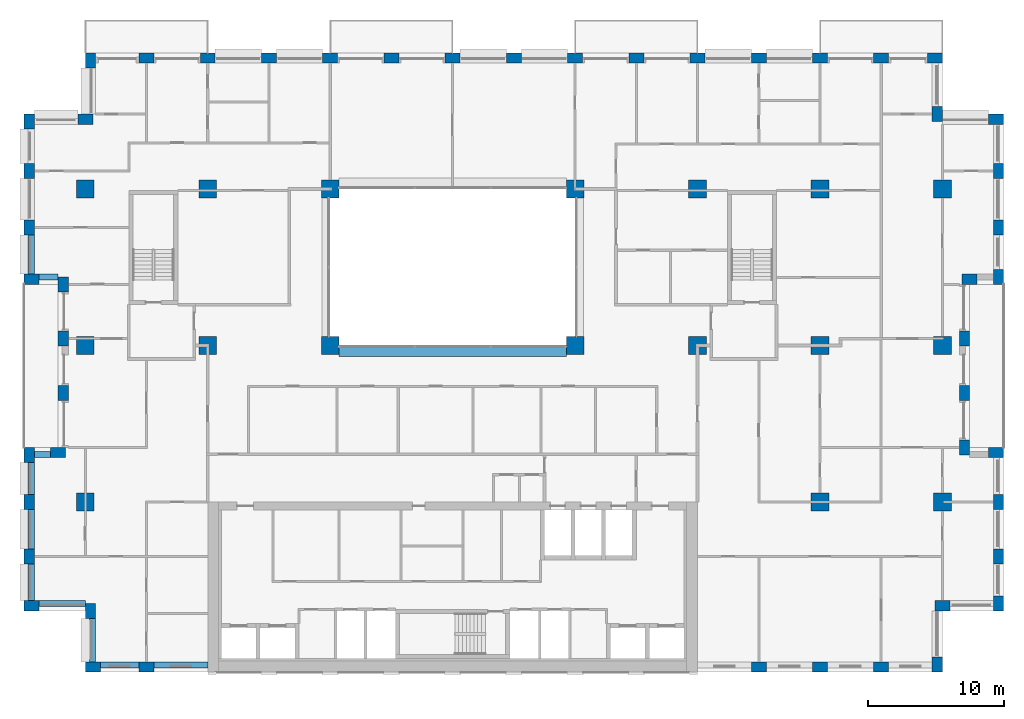
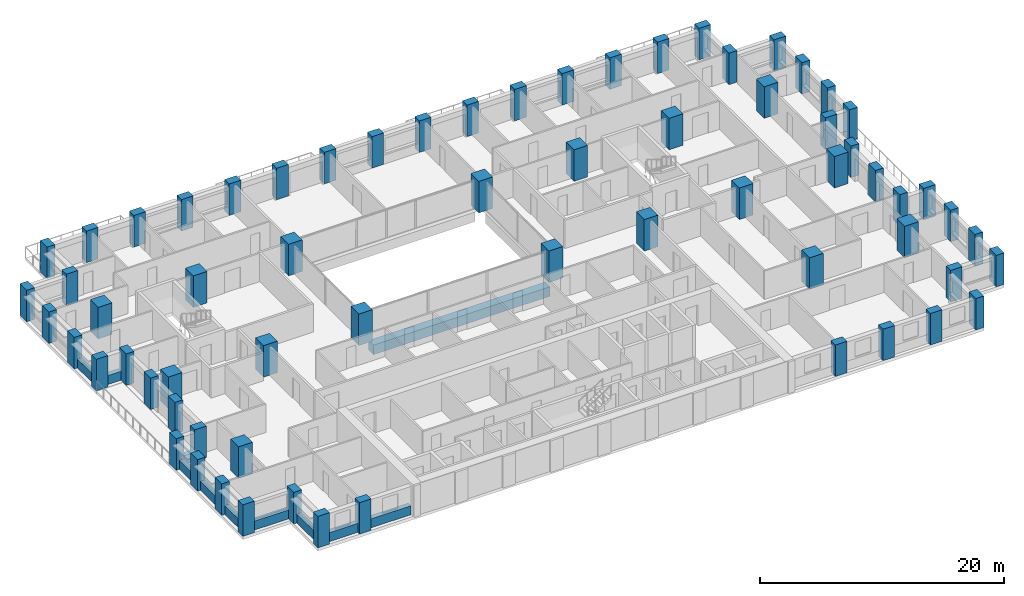
# One storey, part 1 of 16: 66 columns, 11 beams.
"""IFC4 building model written with IfcOpenShell, lengths in metres."""

from ifc_helpers import new_model, si_unit, direction, frame, origin, origin_2d, place, context, subcontext, project, spatial, rectangle, extrude, material, material_profile, profile_set, type_object, element, save


model = new_model("IFC4")

# Units and contexts
model_context = context("Model", 3, precision=1e-05, world=origin(), true_north=direction((0.0, 1.0)))
body_context = subcontext(model_context, "Body", "Model", "MODEL_VIEW")
ifc_project = project(units=[si_unit("LENGTHUNIT", "METRE"), si_unit("AREAUNIT", "SQUARE_METRE"), si_unit("VOLUMEUNIT", "CUBIC_METRE"), si_unit("PLANEANGLEUNIT", "RADIAN"), si_unit("MASSUNIT", "GRAM", prefix="KILO")], contexts=[model_context])

# Site, building, storey
site_placement = place(None, origin())
site = spatial("IfcSite", under=ifc_project, at=site_placement, CompositionType="ELEMENT")
building_placement = place(site_placement, origin())
building = spatial("IfcBuilding", under=site, at=building_placement, Name="Brigalow Station Residences", CompositionType="ELEMENT")
storey_placement = place(building_placement, frame((0.0, 0.0, 83.550048828125)))
storey = spatial("IfcBuildingStorey", under=building, at=storey_placement, Name="L23", CompositionType="ELEMENT", Elevation=83.550048828125)

# Columns
ifc_material_1 = material(Name="Concrete C65", Category="concrete")
ifc_material_profile_1 = material_profile(ifc_material_1, rectangle(XDim=1.300048828125, YDim=1.300048828125, at=origin_2d()), Name="RC1300x1300")
ifc_profile_set_1 = profile_set([ifc_material_profile_1], Name="Concrete C65")
column_type_1 = type_object("IfcColumnType", Name="COLUMN 1300x1300 C65", PredefinedType="COLUMN", material=ifc_profile_set_1)
for number, where, z_axis, x_axis, name in (
    (1, (9.0, 24.0, 0.0), (0.0, 0.0, 1.0), (1.0, 0.0, 0.0), "COLUMN C1 L23"),
    (2, (18.0, 24.0, 0.0), (0.0, 0.0, 1.0), (1.0, 0.0, 0.0), "COLUMN C2 L23"),
    (3, (27.0, 24.0, 0.0), (0.0, 0.0, 1.0), (1.0, 0.0, 0.0), "COLUMN C3 L23"),
    (4, (45.0, 24.0, 0.0), (0.0, 0.0, 1.0), (1.0, 0.0, 0.0), "COLUMN C5 L23"),
    (5, (54.0, 24.0, 0.0), (0.0, 0.0, 1.0), (1.0, 0.0, 0.0), "COLUMN C6 L23"),
    (6, (63.0, 24.0, 0.0), (0.0, 0.0, 1.0), (1.0, 0.0, 0.0), "COLUMN C7 L23"),
    (7, (72.0, 24.0, 0.0), (0.0, 0.0, 1.0), (1.0, 0.0, 0.0), "COLUMN C8 L23"),
    (8, (9.0, 35.5, 0.0), (0.0, 0.0, 1.0), (1.0, 0.0, 0.0), "COLUMN D1 L23"),
    (9, (18.0, 35.5, 0.0), (0.0, 0.0, 1.0), (1.0, 0.0, 0.0), "COLUMN D2 L23"),
    (10, (27.0, 35.5, 0.0), (0.0, 0.0, 1.0), (1.0, 0.0, 0.0), "COLUMN D3 L23"),
    (11, (45.0, 35.5, 0.0), (0.0, 0.0, 1.0), (1.0, 0.0, 0.0), "COLUMN D5 L23"),
    (12, (54.0, 35.5, 0.0), (0.0, 0.0, 1.0), (1.0, 0.0, 0.0), "COLUMN D6 L23"),
    (13, (63.0, 35.5, 0.0), (0.0, 0.0, 1.0), (1.0, 0.0, 0.0), "COLUMN D7 L23"),
    (14, (72.0, 35.5, 0.0), (0.0, 0.0, 1.0), (1.0, 0.0, 0.0), "COLUMN D8 L23"),
    (15, (9.0, 12.5, 0.0), (0.0, 0.0, 1.0), (1.0, 0.0, 0.0), "COLUMN B1 L23"),
    (16, (63.0, 12.5, 0.0), (0.0, 0.0, 1.0), (1.0, 0.0, 0.0), "COLUMN B7 L23"),
    (17, (72.0, 12.5, 0.0), (0.0, 0.0, 1.0), (1.0, 0.0, 0.0), "COLUMN B8 L23"),
):
    element("IfcColumn", number, at=place(storey_placement, frame(where, z_axis=z_axis, x_axis=x_axis)), inside=storey, type_object=column_type_1, Name=name, PredefinedType="COLUMN", context=body_context, shape_type="SweptSolid", body=[
        extrude(rectangle(XDim=1.300048828125, YDim=1.300048828125, at=origin_2d()), origin(), (0.0, 0.0, 1.0), 3.14990234375),
    ])
ifc_material_2 = material(Name="Concrete C65", Category="concrete")
ifc_material_profile_2 = material_profile(ifc_material_2, rectangle(XDim=1.10009765625, YDim=0.75, at=origin_2d()), Name="RC1100x750")
ifc_profile_set_2 = profile_set([ifc_material_profile_2], Name="Concrete C65")
column_type_2 = type_object("IfcColumnType", Name="PIER 1100x750 C65", PredefinedType="USERDEFINED", material=ifc_profile_set_2)
for number, where, z_axis, x_axis, name in (
    (18, (9.550048828125, 0.375, 0.0), (0.0, 0.0, 1.0), (1.0, 0.0, 0.0), "PIER S-1 L23"),
    (19, (13.5, 0.375, 0.0), (0.0, 0.0, 1.0), (1.0, 0.0, 0.0), "PIER S-2 L23"),
    (20, (58.5, 0.375, 0.0), (0.0, 0.0, 1.0), (1.0, 0.0, 0.0), "PIER S-12 L23"),
    (21, (63.0, 0.375, 0.0), (0.0, 0.0, 1.0), (1.0, 0.0, 0.0), "PIER S-13 L23"),
    (22, (67.5, 0.375, 0.0), (0.0, 0.0, 1.0), (1.0, 0.0, 0.0), "PIER S-14 L23"),
    (23, (71.625, 0.550048828125, 0.0), (0.0, 0.0, 1.0), (0.0, 1.0, 0.0), "PIER SE1-1 L23"),
    (24, (72.0, 4.875, 0.0), (0.0, 0.0, 1.0), (1.0, 0.0, 0.0), "PIER SE2-1 L23"),
    (25, (76.125, 5.050048828125, 0.0), (0.0, 0.0, 1.0), (0.0, 1.0, 0.0), "PIER E1-1 L23"),
    (26, (76.125, 8.5, 0.0), (0.0, 0.0, 1.0), (0.0, 1.0, 0.0), "PIER E1-2 L23"),
    (27, (76.125, 12.5, 0.0), (0.0, 0.0, 1.0), (0.0, 1.0, 0.0), "PIER E1-3 L23"),
    (28, (75.949951171875, 16.125, 0.0), (0.0, 0.0, 1.0), (-1.0, 0.0, 0.0), "PIER EL1-1 L23"),
    (29, (73.625, 16.5, 0.0), (0.0, 0.0, 1.0), (0.0, 1.0, 0.0), "PIER EL2-1 L23"),
    (30, (73.625, 20.5, 0.0), (0.0, 0.0, 1.0), (0.0, 1.0, 0.0), "PIER EL2-2 L23"),
    (31, (73.625, 24.5, 0.0), (0.0, 0.0, 1.0), (0.0, 1.0, 0.0), "PIER EL2-3 L23"),
    (32, (74.0, 28.875, 0.0), (0.0, 0.0, 1.0), (1.0, 0.0, 0.0), "PIER EL3-1 L23"),
    (33, (76.125, 29.050048828125, 0.0), (0.0, 0.0, 1.0), (0.0, 1.0, 0.0), "PIER E2-1 L23"),
    (34, (76.125, 32.6669921875, 0.0), (0.0, 0.0, 1.0), (0.0, 1.0, 0.0), "PIER E2-2 L23"),
    (35, (76.125, 36.8330078125, 0.0), (0.0, 0.0, 1.0), (0.0, 1.0, 0.0), "PIER E2-3 L23"),
    (36, (75.949951171875, 40.625, 0.0), (0.0, 0.0, 1.0), (-1.0, 0.0, 0.0), "PIER NE1-1 L23"),
    (37, (71.625, 41.0, 0.0), (0.0, 0.0, 1.0), (0.0, 1.0, 0.0), "PIER NE2-1 L23"),
    (38, (71.449951171875, 45.125, 0.0), (0.0, 0.0, 1.0), (-1.0, 0.0, 0.0), "PIER N-1 L23"),
    (39, (67.5, 45.125, 0.0), (0.0, 0.0, 1.0), (-1.0, 0.0, 0.0), "PIER N-2 L23"),
    (40, (63.0, 45.125, 0.0), (0.0, 0.0, 1.0), (-1.0, 0.0, 0.0), "PIER N-3 L23"),
    (41, (58.5, 45.125, 0.0), (0.0, 0.0, 1.0), (-1.0, 0.0, 0.0), "PIER N-4 L23"),
    (42, (54.0, 45.125, 0.0), (0.0, 0.0, 1.0), (-1.0, 0.0, 0.0), "PIER N-5 L23"),
    (43, (49.5, 45.125, 0.0), (0.0, 0.0, 1.0), (-1.0, 0.0, 0.0), "PIER N-6 L23"),
    (44, (45.0, 45.125, 0.0), (0.0, 0.0, 1.0), (-1.0, 0.0, 0.0), "PIER N-7 L23"),
    (45, (40.5, 45.125, 0.0), (0.0, 0.0, 1.0), (-1.0, 0.0, 0.0), "PIER N-8 L23"),
    (46, (36.0, 45.125, 0.0), (0.0, 0.0, 1.0), (-1.0, 0.0, 0.0), "PIER N-9 L23"),
    (47, (31.5, 45.125, 0.0), (0.0, 0.0, 1.0), (-1.0, 0.0, 0.0), "PIER N-10 L23"),
    (48, (27.0, 45.125, 0.0), (0.0, 0.0, 1.0), (-1.0, 0.0, 0.0), "PIER N-11 L23"),
    (49, (22.5, 45.125, 0.0), (0.0, 0.0, 1.0), (-1.0, 0.0, 0.0), "PIER N-12 L23"),
    (50, (18.0, 45.125, 0.0), (0.0, 0.0, 1.0), (-1.0, 0.0, 0.0), "PIER N-13 L23"),
    (51, (13.5, 45.125, 0.0), (0.0, 0.0, 1.0), (-1.0, 0.0, 0.0), "PIER N-14 L23"),
    (52, (9.375, 44.949951171875, 0.0), (0.0, 0.0, 1.0), (0.0, -1.0, 0.0), "PIER NW1-1 L23"),
    (53, (9.0, 40.625, 0.0), (0.0, 0.0, 1.0), (-1.0, 0.0, 0.0), "PIER NW2-1 L23"),
    (54, (4.875, 40.449951171875, 0.0), (0.0, 0.0, 1.0), (0.0, -1.0, 0.0), "PIER W2-1 L23"),
    (55, (4.875, 36.8330078125, 0.0), (0.0, 0.0, 1.0), (0.0, -1.0, 0.0), "PIER W2-2 L23"),
    (56, (4.875, 32.6669921875, 0.0), (0.0, 0.0, 1.0), (0.0, -1.0, 0.0), "PIER W2-3 L23"),
    (57, (5.050048828125, 28.875, 0.0), (0.0, 0.0, 1.0), (1.0, 0.0, 0.0), "PIER WL1-1 L23"),
    (58, (7.375, 28.5, 0.0), (0.0, 0.0, 1.0), (0.0, -1.0, 0.0), "PIER WL2-1 L23"),
    (59, (7.375, 24.5, 0.0), (0.0, 0.0, 1.0), (0.0, -1.0, 0.0), "PIER WL2-2 L23"),
    (60, (7.375, 20.5, 0.0), (0.0, 0.0, 1.0), (0.0, -1.0, 0.0), "PIER WL2-3 L23"),
    (61, (7.0, 16.125, 0.0), (0.0, 0.0, 1.0), (-1.0, 0.0, 0.0), "PIER WL3-1 L23"),
    (62, (4.875, 15.949951171875, 0.0), (0.0, 0.0, 1.0), (0.0, -1.0, 0.0), "PIER W1-1 L23"),
    (63, (4.875, 12.5, 0.0), (0.0, 0.0, 1.0), (0.0, -1.0, 0.0), "PIER W1-2 L23"),
    (64, (4.875, 8.5, 0.0), (0.0, 0.0, 1.0), (0.0, -1.0, 0.0), "PIER W1-3 L23"),
    (65, (5.050048828125, 4.875, 0.0), (0.0, 0.0, 1.0), (1.0, 0.0, 0.0), "PIER SW1-1 L23"),
    (66, (9.375, 4.5, 0.0), (0.0, 0.0, 1.0), (0.0, -1.0, 0.0), "PIER SW2-1 L23"),
):
    element("IfcColumn", number, at=place(storey_placement, frame(where, z_axis=z_axis, x_axis=x_axis)), inside=storey, type_object=column_type_2, Name=name, ObjectType="PIER", PredefinedType="USERDEFINED", context=body_context, shape_type="SweptSolid", body=[
        extrude(rectangle(XDim=1.10009765625, YDim=0.75, at=origin_2d()), origin(), (0.0, 0.0, 1.0), 3.14990234375),
    ])

# Beams
ifc_material_3 = material(Name="Concrete C65", Category="concrete")
ifc_material_profile_3 = material_profile(ifc_material_3, rectangle(XDim=0.800048828125, YDim=0.949951171875, at=origin_2d()), Name="RC800x950")
ifc_profile_set_3 = profile_set([ifc_material_profile_3], Name="Concrete C65")
beam_type_1 = type_object("IfcBeamType", Name="ATRIUM EDGE GIRDER OVER 13.5 M SPAN 800x950 C65", PredefinedType="BEAM", material=ifc_profile_set_3)
beam_1_placement = place(storey_placement, frame((27.64990234375, 23.60009765625, -0.795166015625), z_axis=(1.0, 0.0, 0.0), x_axis=(0.0, 1.0, 0.0)))
element("IfcBeam", 67, at=beam_1_placement, inside=storey, type_object=beam_type_1, Name="ATRIUM EDGE GIRDER C L23", PredefinedType="BEAM", context=body_context, shape_type="SweptSolid", body=[
    extrude(rectangle(XDim=0.800048828125, YDim=0.949951171875, at=origin_2d()), origin(), (0.0, 0.0, 1.0), 16.7001953125),
])
ifc_material_4 = material(Name="Concrete C65", Category="concrete")
ifc_material_profile_4 = material_profile(ifc_material_4, rectangle(XDim=0.449951171875, YDim=0.89990234375, at=origin_2d()), Name="RC450x900")
ifc_profile_set_4 = profile_set([ifc_material_profile_4], Name="Concrete C65")
beam_type_2 = type_object("IfcBeamType", Name="SPANDREL BEAM 450x900 C65", PredefinedType="SPANDREL", material=ifc_profile_set_4)
beam_2_placement = place(storey_placement, frame((10.10009765625, 0.52490234375, 0.449951171875), z_axis=(1.0, 0.0, 0.0), x_axis=(0.0, 1.0, 0.0)))
element("IfcBeam", 68, at=beam_2_placement, inside=storey, type_object=beam_type_2, Name="L23/spandrel/W-L23-1", PredefinedType="SPANDREL", context=body_context, shape_type="SweptSolid", body=[
    extrude(rectangle(XDim=0.449951171875, YDim=0.89990234375, at=origin_2d()), origin(), (0.0, 0.0, 1.0), 2.849853515625),
])
beam_3_placement = place(storey_placement, frame((14.050048828125, 0.52490234375, 0.449951171875), z_axis=(1.0, 0.0, 0.0), x_axis=(0.0, 1.0, 0.0)))
element("IfcBeam", 69, at=beam_3_placement, inside=storey, type_object=beam_type_2, Name="L23/spandrel/W-L23-2", PredefinedType="SPANDREL", context=body_context, shape_type="SweptSolid", body=[
    extrude(rectangle(XDim=0.449951171875, YDim=0.89990234375, at=origin_2d()), origin(), (0.0, 0.0, 1.0), 3.949951171875),
])
beam_4_placement = place(storey_placement, frame((5.02490234375, 32.116943359375, 0.449951171875), z_axis=(0.0, -1.0, 0.0), x_axis=(1.0, 0.0, 0.0)))
element("IfcBeam", 70, at=beam_4_placement, inside=storey, type_object=beam_type_2, Name="L23/spandrel/W-L23-41", PredefinedType="SPANDREL", context=body_context, shape_type="SweptSolid", body=[
    extrude(rectangle(XDim=0.449951171875, YDim=0.89990234375, at=origin_2d()), origin(), (0.0, 0.0, 1.0), 2.866943359375),
])
beam_5_placement = place(storey_placement, frame((5.60009765625, 29.02490234375, 0.449951171875), z_axis=(1.0, 0.0, 0.0), x_axis=(0.0, 1.0, 0.0)))
element("IfcBeam", 71, at=beam_5_placement, inside=storey, type_object=beam_type_2, Name="L23/spandrel/W-L23-42", PredefinedType="SPANDREL", context=body_context, shape_type="SweptSolid", body=[
    extrude(rectangle(XDim=0.449951171875, YDim=0.89990234375, at=origin_2d()), origin(), (0.0, 0.0, 1.0), 1.39990234375),
])
beam_6_placement = place(storey_placement, frame((6.449951171875, 15.97509765625, 0.449951171875), z_axis=(-1.0, 0.0, 0.0), x_axis=(0.0, -1.0, 0.0)))
element("IfcBeam", 72, at=beam_6_placement, inside=storey, type_object=beam_type_2, Name="L23/spandrel/W-L23-46", PredefinedType="SPANDREL", context=body_context, shape_type="SweptSolid", body=[
    extrude(rectangle(XDim=0.449951171875, YDim=0.89990234375, at=origin_2d()), origin(), (0.0, 0.0, 1.0), 1.199951171875),
])
beam_7_placement = place(storey_placement, frame((5.02490234375, 15.39990234375, 0.449951171875), z_axis=(0.0, -1.0, 0.0), x_axis=(1.0, 0.0, 0.0)))
element("IfcBeam", 73, at=beam_7_placement, inside=storey, type_object=beam_type_2, Name="L23/spandrel/W-L23-47", PredefinedType="SPANDREL", context=body_context, shape_type="SweptSolid", body=[
    extrude(rectangle(XDim=0.449951171875, YDim=0.89990234375, at=origin_2d()), origin(), (0.0, 0.0, 1.0), 2.349853515625),
])
beam_8_placement = place(storey_placement, frame((5.02490234375, 11.949951171875, 0.449951171875), z_axis=(0.0, -1.0, 0.0), x_axis=(1.0, 0.0, 0.0)))
element("IfcBeam", 74, at=beam_8_placement, inside=storey, type_object=beam_type_2, Name="L23/spandrel/W-L23-48", PredefinedType="SPANDREL", context=body_context, shape_type="SweptSolid", body=[
    extrude(rectangle(XDim=0.449951171875, YDim=0.89990234375, at=origin_2d()), origin(), (0.0, 0.0, 1.0), 2.89990234375),
])
beam_9_placement = place(storey_placement, frame((5.02490234375, 7.949951171875, 0.449951171875), z_axis=(0.0, -1.0, 0.0), x_axis=(1.0, 0.0, 0.0)))
element("IfcBeam", 75, at=beam_9_placement, inside=storey, type_object=beam_type_2, Name="L23/spandrel/W-L23-49", PredefinedType="SPANDREL", context=body_context, shape_type="SweptSolid", body=[
    extrude(rectangle(XDim=0.449951171875, YDim=0.89990234375, at=origin_2d()), origin(), (0.0, 0.0, 1.0), 2.699951171875),
])
beam_10_placement = place(storey_placement, frame((5.60009765625, 5.02490234375, 0.449951171875), z_axis=(1.0, 0.0, 0.0), x_axis=(0.0, 1.0, 0.0)))
element("IfcBeam", 76, at=beam_10_placement, inside=storey, type_object=beam_type_2, Name="L23/spandrel/W-L23-50", PredefinedType="SPANDREL", context=body_context, shape_type="SweptSolid", body=[
    extrude(rectangle(XDim=0.449951171875, YDim=0.89990234375, at=origin_2d()), origin(), (0.0, 0.0, 1.0), 3.39990234375),
])
beam_11_placement = place(storey_placement, frame((9.52490234375, 3.949951171875, 0.449951171875), z_axis=(0.0, -1.0, 0.0), x_axis=(1.0, 0.0, 0.0)))
element("IfcBeam", 77, at=beam_11_placement, inside=storey, type_object=beam_type_2, Name="L23/spandrel/W-L23-51", PredefinedType="SPANDREL", context=body_context, shape_type="SweptSolid", body=[
    extrude(rectangle(XDim=0.449951171875, YDim=0.89990234375, at=origin_2d()), origin(), (0.0, 0.0, 1.0), 3.199951171875),
])

save(model, "model.ifc")
